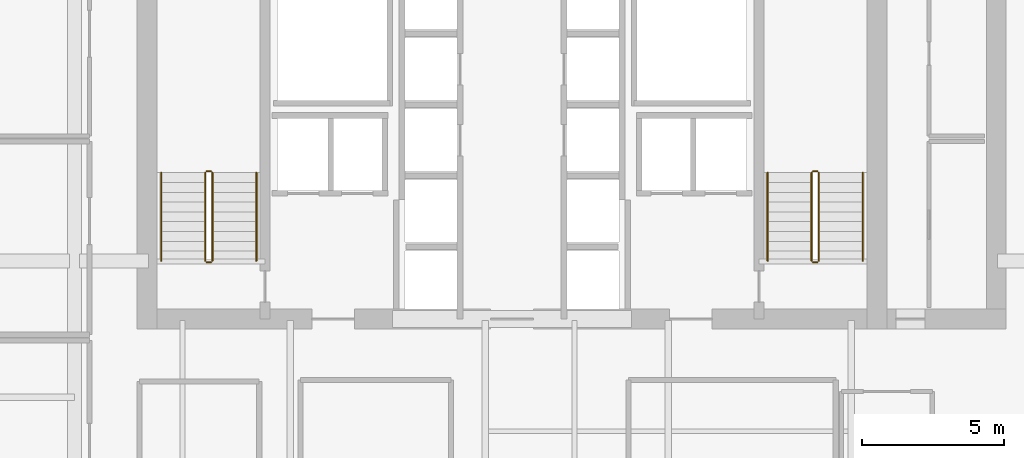
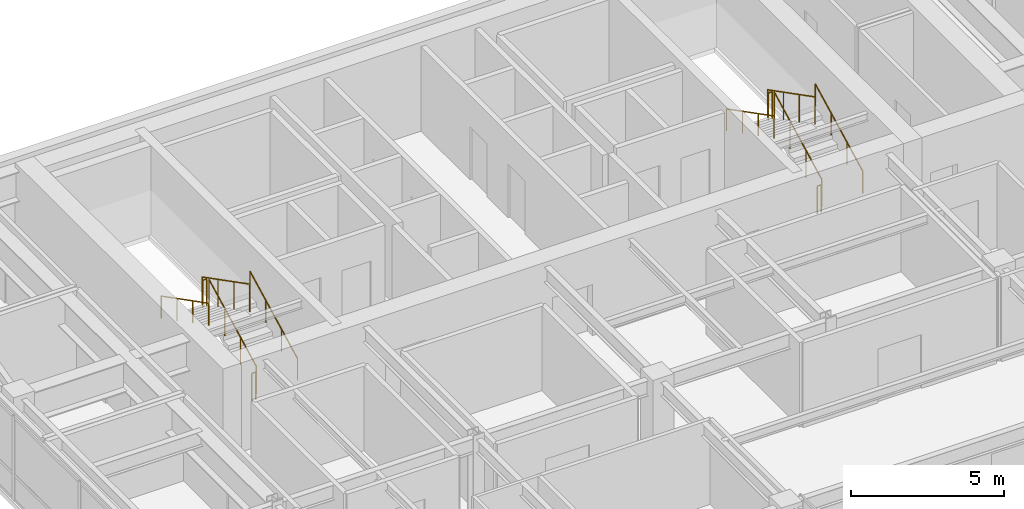
# One storey, part 24 of 24: 12 railings.
"""IFC4 building model written with IfcOpenShell, lengths in metres."""

from ifc_helpers import new_model, si_unit, direction, frame, origin, origin_2d, place, context, subcontext, project, spatial, circle, extrude, material, type_object, element, save


model = new_model("IFC4")

# Units and contexts
model_context = context("Model", 3, precision=1e-05, world=origin(), true_north=direction((0.0, 1.0)))
body_context = subcontext(model_context, "Body", "Model", "MODEL_VIEW")
ifc_project = project(units=[si_unit("LENGTHUNIT", "METRE"), si_unit("AREAUNIT", "SQUARE_METRE"), si_unit("VOLUMEUNIT", "CUBIC_METRE"), si_unit("PLANEANGLEUNIT", "RADIAN"), si_unit("MASSUNIT", "GRAM", prefix="KILO")], contexts=[model_context])

# Site, building, storey
site_placement = place(None, origin())
site = spatial("IfcSite", under=ifc_project, at=site_placement, CompositionType="ELEMENT")
building_placement = place(site_placement, origin())
building = spatial("IfcBuilding", under=site, at=building_placement, Name="Tolvann Quenvar Hotel", CompositionType="ELEMENT")
storey_placement = place(building_placement, frame((0.0, 0.0, 194.64990234375)))
storey = spatial("IfcBuildingStorey", under=building, at=storey_placement, Name="L51", CompositionType="ELEMENT", Elevation=194.64990234375)

# Railings
ifc_material = material(Name="Brushed 316 stainless steel balustrade and handrail", Category="steel")
railing_type_1 = type_object("IfcRailingType", Name="GUARDRAIL", PredefinedType="GUARDRAIL", material=ifc_material)
railing_1_placement = place(storey_placement, frame((12.449951171875, 34.0, 0.177490234375)))
element("IfcRailing", 1, at=railing_1_placement, inside=storey, type_object=railing_type_1, Name="L51 ST-C1 stair guard 1", PredefinedType="GUARDRAIL", context=body_context, shape_type="SweptSolid", body=[
    extrude(circle(Radius=0.02392578125, at=origin_2d()), frame((0.0, 0.0, 1.09619140625), z_axis=(0.0, 0.88919353882, 0.457531256332), x_axis=(-1.0, 0.0, 0.0)), (0.0, 0.0, 1.0), 3.491943359375),
    extrude(circle(Radius=0.02099609375, at=origin_2d()), origin(), (0.0, 0.0, 1.0), 1.072021484375),
    extrude(circle(Radius=0.02099609375, at=origin_2d()), frame((0.0, 1.034912109375, 0.532470703125)), (0.0, 0.0, 1.0), 1.072021484375),
    extrude(circle(Radius=0.02099609375, at=origin_2d()), frame((0.0, 2.070068359375, 1.065185546875)), (0.0, 0.0, 1.0), 1.072021484375),
    extrude(circle(Radius=0.02099609375, at=origin_2d()), frame((0.0, 3.10498046875, 1.59765625)), (0.0, 0.0, 1.0), 1.072021484375),
])
railing_2_placement = place(storey_placement, frame((12.39990234375, 37.155029296875, 1.775146484375)))
element("IfcRailing", 2, at=railing_2_placement, inside=storey, type_object=railing_type_1, Name="L51 ST-C1 stair guard 2", PredefinedType="GUARDRAIL", context=body_context, shape_type="SweptSolid", body=[
    extrude(circle(Radius=0.02392578125, at=origin_2d()), frame((0.0, 0.0, 1.09619140625), z_axis=(-1.0, 0.0, 0.0), x_axis=(0.0, -1.0, 0.0)), (0.0, 0.0, 1.0), 0.14990234375),
    extrude(circle(Radius=0.02099609375, at=origin_2d()), origin(), (0.0, 0.0, 1.0), 1.072021484375),
    extrude(circle(Radius=0.02099609375, at=origin_2d()), frame((-0.14990234375, 0.0, 0.0)), (0.0, 0.0, 1.0), 1.072021484375),
])
railing_3_placement = place(storey_placement, frame((12.199951171875, 37.10498046875, 1.95263671875)))
element("IfcRailing", 3, at=railing_3_placement, inside=storey, type_object=railing_type_1, Name="L51 ST-C1 stair guard 3", PredefinedType="GUARDRAIL", context=body_context, shape_type="SweptSolid", body=[
    extrude(circle(Radius=0.02392578125, at=origin_2d()), frame((0.0, 0.0, 1.09619140625), z_axis=(0.0, -0.889221982265, 0.45747597342), x_axis=(1.0, 0.0, 0.0)), (0.0, 0.0, 1.0), 3.49169921875),
    extrude(circle(Radius=0.02099609375, at=origin_2d()), origin(), (0.0, 0.0, 1.0), 1.072021484375),
    extrude(circle(Radius=0.02099609375, at=origin_2d()), frame((0.0, -1.034912109375, 0.532470703125)), (0.0, 0.0, 1.0), 1.072021484375),
    extrude(circle(Radius=0.02099609375, at=origin_2d()), frame((0.0, -2.070068359375, 1.06494140625)), (0.0, 0.0, 1.0), 1.072021484375),
    extrude(circle(Radius=0.02099609375, at=origin_2d()), frame((0.0, -3.10498046875, 1.597412109375)), (0.0, 0.0, 1.0), 1.072021484375),
])
railing_4_placement = place(storey_placement, frame((12.39990234375, 33.949951171875, 0.0)))
element("IfcRailing", 4, at=railing_4_placement, inside=storey, type_object=railing_type_1, Name="L51 ST-C1 stair guard 4", PredefinedType="GUARDRAIL", context=body_context, shape_type="SweptSolid", body=[
    extrude(circle(Radius=0.02392578125, at=origin_2d()), frame((0.0, 0.0, 1.09619140625), z_axis=(-1.0, 0.0, 0.0), x_axis=(0.0, -1.0, 0.0)), (0.0, 0.0, 1.0), 0.14990234375),
    extrude(circle(Radius=0.02099609375, at=origin_2d()), origin(), (0.0, 0.0, 1.0), 1.072021484375),
    extrude(circle(Radius=0.02099609375, at=origin_2d()), frame((-0.14990234375, 0.0, 0.0)), (0.0, 0.0, 1.0), 1.072021484375),
])
railing_5_placement = place(storey_placement, frame((33.800048828125, 34.0, 0.177490234375)))
element("IfcRailing", 5, at=railing_5_placement, inside=storey, type_object=railing_type_1, Name="L51 ST-C2 stair guard 1", PredefinedType="GUARDRAIL", context=body_context, shape_type="SweptSolid", body=[
    extrude(circle(Radius=0.02392578125, at=origin_2d()), frame((0.0, 0.0, 1.09619140625), z_axis=(0.0, 0.88919353882, 0.457531256332), x_axis=(-1.0, 0.0, 0.0)), (0.0, 0.0, 1.0), 3.491943359375),
    extrude(circle(Radius=0.02099609375, at=origin_2d()), origin(), (0.0, 0.0, 1.0), 1.072021484375),
    extrude(circle(Radius=0.02099609375, at=origin_2d()), frame((0.0, 1.034912109375, 0.532470703125)), (0.0, 0.0, 1.0), 1.072021484375),
    extrude(circle(Radius=0.02099609375, at=origin_2d()), frame((0.0, 2.070068359375, 1.065185546875)), (0.0, 0.0, 1.0), 1.072021484375),
    extrude(circle(Radius=0.02099609375, at=origin_2d()), frame((0.0, 3.10498046875, 1.59765625)), (0.0, 0.0, 1.0), 1.072021484375),
])
railing_6_placement = place(storey_placement, frame((33.75, 37.155029296875, 1.775146484375)))
element("IfcRailing", 6, at=railing_6_placement, inside=storey, type_object=railing_type_1, Name="L51 ST-C2 stair guard 2", PredefinedType="GUARDRAIL", context=body_context, shape_type="SweptSolid", body=[
    extrude(circle(Radius=0.02392578125, at=origin_2d()), frame((0.0, 0.0, 1.09619140625), z_axis=(-1.0, 0.0, 0.0), x_axis=(0.0, -1.0, 0.0)), (0.0, 0.0, 1.0), 0.14990234375),
    extrude(circle(Radius=0.02099609375, at=origin_2d()), origin(), (0.0, 0.0, 1.0), 1.072021484375),
    extrude(circle(Radius=0.02099609375, at=origin_2d()), frame((-0.14990234375, 0.0, 0.0)), (0.0, 0.0, 1.0), 1.072021484375),
])
railing_7_placement = place(storey_placement, frame((33.550048828125, 37.10498046875, 1.95263671875)))
element("IfcRailing", 7, at=railing_7_placement, inside=storey, type_object=railing_type_1, Name="L51 ST-C2 stair guard 3", PredefinedType="GUARDRAIL", context=body_context, shape_type="SweptSolid", body=[
    extrude(circle(Radius=0.02392578125, at=origin_2d()), frame((0.0, 0.0, 1.09619140625), z_axis=(0.0, -0.889221982265, 0.45747597342), x_axis=(1.0, 0.0, 0.0)), (0.0, 0.0, 1.0), 3.49169921875),
    extrude(circle(Radius=0.02099609375, at=origin_2d()), origin(), (0.0, 0.0, 1.0), 1.072021484375),
    extrude(circle(Radius=0.02099609375, at=origin_2d()), frame((0.0, -1.034912109375, 0.532470703125)), (0.0, 0.0, 1.0), 1.072021484375),
    extrude(circle(Radius=0.02099609375, at=origin_2d()), frame((0.0, -2.070068359375, 1.06494140625)), (0.0, 0.0, 1.0), 1.072021484375),
    extrude(circle(Radius=0.02099609375, at=origin_2d()), frame((0.0, -3.10498046875, 1.597412109375)), (0.0, 0.0, 1.0), 1.072021484375),
])
railing_8_placement = place(storey_placement, frame((33.75, 33.949951171875, 0.0)))
element("IfcRailing", 8, at=railing_8_placement, inside=storey, type_object=railing_type_1, Name="L51 ST-C2 stair guard 4", PredefinedType="GUARDRAIL", context=body_context, shape_type="SweptSolid", body=[
    extrude(circle(Radius=0.02392578125, at=origin_2d()), frame((0.0, 0.0, 1.09619140625), z_axis=(-1.0, 0.0, 0.0), x_axis=(0.0, -1.0, 0.0)), (0.0, 0.0, 1.0), 0.14990234375),
    extrude(circle(Radius=0.02099609375, at=origin_2d()), origin(), (0.0, 0.0, 1.0), 1.072021484375),
    extrude(circle(Radius=0.02099609375, at=origin_2d()), frame((-0.14990234375, 0.0, 0.0)), (0.0, 0.0, 1.0), 1.072021484375),
])
railing_type_2 = type_object("IfcRailingType", Name="HANDRAIL", PredefinedType="HANDRAIL", material=ifc_material)
railing_9_placement = place(storey_placement, frame((14.0, 34.0, 0.177490234375)))
element("IfcRailing", 9, at=railing_9_placement, inside=storey, type_object=railing_type_2, Name="L51 ST-C1 stair handrail 1", PredefinedType="HANDRAIL", context=body_context, shape_type="SweptSolid", body=[
    extrude(circle(Radius=0.02392578125, at=origin_2d()), frame((0.0, 0.0, 0.8759765625), z_axis=(0.0, 0.88919353882, 0.457531256332), x_axis=(-1.0, 0.0, 0.0)), (0.0, 0.0, 1.0), 3.491943359375),
    extrude(circle(Radius=0.02099609375, at=origin_2d()), origin(), (0.0, 0.0, 1.0), 0.851806640625),
    extrude(circle(Radius=0.02099609375, at=origin_2d()), frame((0.0, 1.034912109375, 0.532470703125)), (0.0, 0.0, 1.0), 0.851806640625),
    extrude(circle(Radius=0.02099609375, at=origin_2d()), frame((0.0, 2.070068359375, 1.065185546875)), (0.0, 0.0, 1.0), 0.851806640625),
    extrude(circle(Radius=0.02099609375, at=origin_2d()), frame((0.0, 3.10498046875, 1.59765625)), (0.0, 0.0, 1.0), 0.851806640625),
])
railing_10_placement = place(storey_placement, frame((10.64990234375, 37.10498046875, 1.95263671875)))
element("IfcRailing", 10, at=railing_10_placement, inside=storey, type_object=railing_type_2, Name="L51 ST-C1 stair handrail 2", PredefinedType="HANDRAIL", context=body_context, shape_type="SweptSolid", body=[
    extrude(circle(Radius=0.02392578125, at=origin_2d()), frame((0.0, 0.0, 0.8759765625), z_axis=(0.0, -0.889221982265, 0.45747597342), x_axis=(1.0, 0.0, 0.0)), (0.0, 0.0, 1.0), 3.49169921875),
    extrude(circle(Radius=0.02099609375, at=origin_2d()), origin(), (0.0, 0.0, 1.0), 0.851806640625),
    extrude(circle(Radius=0.02099609375, at=origin_2d()), frame((0.0, -1.034912109375, 0.532470703125)), (0.0, 0.0, 1.0), 0.851806640625),
    extrude(circle(Radius=0.02099609375, at=origin_2d()), frame((0.0, -2.070068359375, 1.06494140625)), (0.0, 0.0, 1.0), 0.851806640625),
    extrude(circle(Radius=0.02099609375, at=origin_2d()), frame((0.0, -3.10498046875, 1.597412109375)), (0.0, 0.0, 1.0), 0.851806640625),
])
railing_11_placement = place(storey_placement, frame((35.35009765625, 34.0, 0.177490234375)))
element("IfcRailing", 11, at=railing_11_placement, inside=storey, type_object=railing_type_2, Name="L51 ST-C2 stair handrail 1", PredefinedType="HANDRAIL", context=body_context, shape_type="SweptSolid", body=[
    extrude(circle(Radius=0.02392578125, at=origin_2d()), frame((0.0, 0.0, 0.8759765625), z_axis=(0.0, 0.88919353882, 0.457531256332), x_axis=(-1.0, 0.0, 0.0)), (0.0, 0.0, 1.0), 3.491943359375),
    extrude(circle(Radius=0.02099609375, at=origin_2d()), origin(), (0.0, 0.0, 1.0), 0.851806640625),
    extrude(circle(Radius=0.02099609375, at=origin_2d()), frame((0.0, 1.034912109375, 0.532470703125)), (0.0, 0.0, 1.0), 0.851806640625),
    extrude(circle(Radius=0.02099609375, at=origin_2d()), frame((0.0, 2.070068359375, 1.065185546875)), (0.0, 0.0, 1.0), 0.851806640625),
    extrude(circle(Radius=0.02099609375, at=origin_2d()), frame((0.0, 3.10498046875, 1.59765625)), (0.0, 0.0, 1.0), 0.851806640625),
])
railing_12_placement = place(storey_placement, frame((32.0, 37.10498046875, 1.95263671875)))
element("IfcRailing", 12, at=railing_12_placement, inside=storey, type_object=railing_type_2, Name="L51 ST-C2 stair handrail 2", PredefinedType="HANDRAIL", context=body_context, shape_type="SweptSolid", body=[
    extrude(circle(Radius=0.02392578125, at=origin_2d()), frame((0.0, 0.0, 0.8759765625), z_axis=(0.0, -0.889221982265, 0.45747597342), x_axis=(1.0, 0.0, 0.0)), (0.0, 0.0, 1.0), 3.49169921875),
    extrude(circle(Radius=0.02099609375, at=origin_2d()), origin(), (0.0, 0.0, 1.0), 0.851806640625),
    extrude(circle(Radius=0.02099609375, at=origin_2d()), frame((0.0, -1.034912109375, 0.532470703125)), (0.0, 0.0, 1.0), 0.851806640625),
    extrude(circle(Radius=0.02099609375, at=origin_2d()), frame((0.0, -2.070068359375, 1.06494140625)), (0.0, 0.0, 1.0), 0.851806640625),
    extrude(circle(Radius=0.02099609375, at=origin_2d()), frame((0.0, -3.10498046875, 1.597412109375)), (0.0, 0.0, 1.0), 0.851806640625),
])

save(model, "model.ifc")
